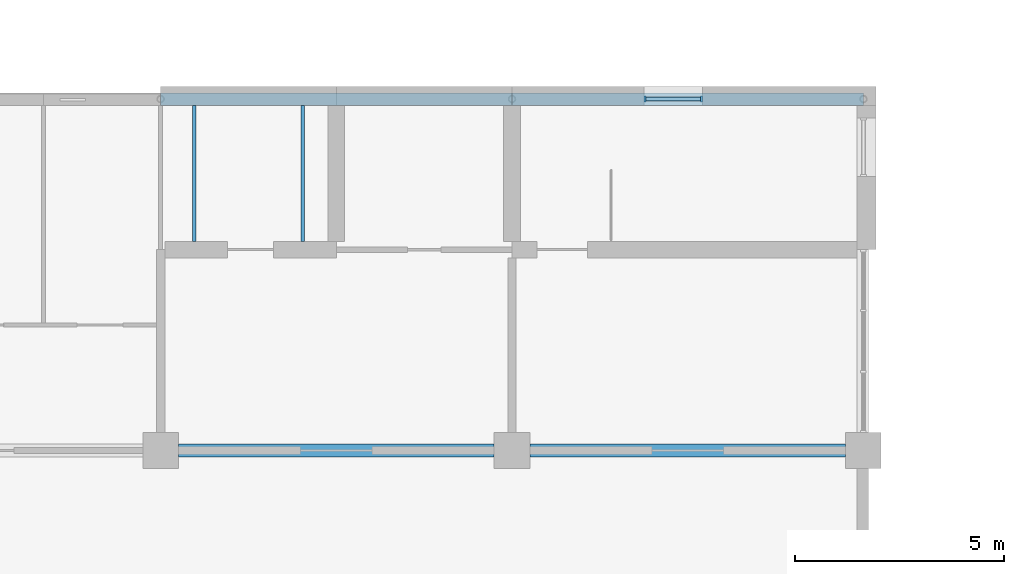
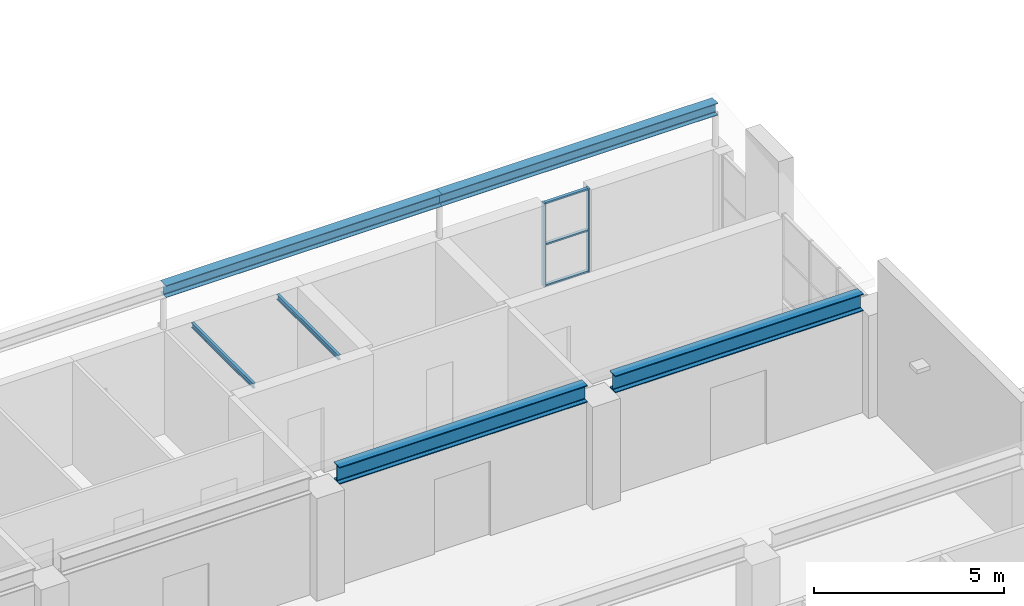
# One storey, part 31 of 94: 6 beams, 5 members, 1 element without a shape of its own.
"""IFC4 building model written with IfcOpenShell, lengths in metres."""

from ifc_helpers import new_model, si_unit, direction, frame, origin, origin_2d, place, context, subcontext, project, spatial, rectangle, i_section, extrude, material, material_profile, profile_set, type_object, element, aggregate, save


model = new_model("IFC4")

# Units and contexts
model_context = context("Model", 3, precision=1e-05, world=origin(), true_north=direction((0.0, 1.0)))
body_context = subcontext(model_context, "Body", "Model", "MODEL_VIEW")
ifc_project = project(units=[si_unit("LENGTHUNIT", "METRE"), si_unit("AREAUNIT", "SQUARE_METRE"), si_unit("VOLUMEUNIT", "CUBIC_METRE"), si_unit("PLANEANGLEUNIT", "RADIAN"), si_unit("MASSUNIT", "GRAM", prefix="KILO")], contexts=[model_context])

# Site, building, storey
site_placement = place(None, origin())
site = spatial("IfcSite", under=ifc_project, at=site_placement, CompositionType="ELEMENT")
building_placement = place(site_placement, origin())
building = spatial("IfcBuilding", under=site, at=building_placement, Name="Yavir Park General Hospital", CompositionType="ELEMENT")
storey_placement = place(building_placement, frame((0.0, 0.0, 4.5)))
storey = spatial("IfcBuildingStorey", under=building, at=storey_placement, Name="L01", CompositionType="ELEMENT", Elevation=4.5)

# Beams
ifc_material_1 = material(Name="Steel S355", Category="steel")
ifc_material_profile_1 = material_profile(ifc_material_1, i_section(OverallWidth=0.300048828125, OverallDepth=0.389892578125, WebThickness=0.010986328125, FlangeThickness=0.01904296875, FilletRadius=0.027099609375, at=origin_2d()), Name="HEA400")
ifc_profile_set_1 = profile_set([ifc_material_profile_1], Name="Steel S355")
beam_type_1 = type_object("IfcBeamType", Name="HEA 400 edge beam", PredefinedType="BEAM", material=ifc_profile_set_1)
beam_1_placement = place(storey_placement, frame((50.39990234375, 75.60009765625, 4.552978515625), z_axis=(1.0, 0.0, 0.0), x_axis=(0.0, 1.0, 0.0)))
element("IfcBeam", 1, at=beam_1_placement, inside=storey, type_object=beam_type_1, Name="B:CLIN:V3:2", PredefinedType="BEAM", context=body_context, shape_type="SweptSolid", body=[
    extrude(i_section(OverallWidth=0.300048828125, OverallDepth=0.389892578125, WebThickness=0.010986328125, FlangeThickness=0.01904296875, FilletRadius=0.027099609375, at=origin_2d()), origin(), (0.0, 0.0, 1.0), 8.400146484375),
])
beam_2_placement = place(storey_placement, frame((58.800048828125, 75.60009765625, 4.552978515625), z_axis=(1.0, 0.0, 0.0), x_axis=(0.0, 1.0, 0.0)))
element("IfcBeam", 2, at=beam_2_placement, inside=storey, type_object=beam_type_1, Name="B:CLIN:V3:3", PredefinedType="BEAM", context=body_context, shape_type="SweptSolid", body=[
    extrude(i_section(OverallWidth=0.300048828125, OverallDepth=0.389892578125, WebThickness=0.010986328125, FlangeThickness=0.01904296875, FilletRadius=0.027099609375, at=origin_2d()), origin(), (0.0, 0.0, 1.0), 8.39990234375),
])
ifc_material_2 = material(Name="Steel S355", Category="steel")
ifc_material_profile_2 = material_profile(ifc_material_2, i_section(OverallWidth=0.300048828125, OverallDepth=0.550048828125, WebThickness=0.014892578125, FlangeThickness=0.029052734375, FilletRadius=0.027099609375, at=origin_2d()), Name="HEB550")
ifc_profile_set_2 = profile_set([ifc_material_profile_2], Name="Steel S355")
beam_type_2 = type_object("IfcBeamType", Name="HEB 550 valley beam", PredefinedType="BEAM", material=ifc_profile_set_2)
beam_3_placement = place(storey_placement, frame((50.824951171875, 67.199951171875, 3.572998046875), z_axis=(1.0, 0.0, 0.0), x_axis=(0.0, 1.0, 0.0)))
element("IfcBeam", 3, at=beam_3_placement, inside=storey, type_object=beam_type_2, Name="B:CLIN:V2:2", PredefinedType="BEAM", context=body_context, shape_type="SweptSolid", body=[
    extrude(i_section(OverallWidth=0.300048828125, OverallDepth=0.550048828125, WebThickness=0.014892578125, FlangeThickness=0.029052734375, FilletRadius=0.027099609375, at=origin_2d()), origin(), (0.0, 0.0, 1.0), 7.550048828125),
])
beam_4_placement = place(storey_placement, frame((59.22509765625, 67.199951171875, 3.572998046875), z_axis=(1.0, 0.0, 0.0), x_axis=(0.0, 1.0, 0.0)))
element("IfcBeam", 4, at=beam_4_placement, inside=storey, type_object=beam_type_2, Name="B:CLIN:V2:3", PredefinedType="BEAM", context=body_context, shape_type="SweptSolid", body=[
    extrude(i_section(OverallWidth=0.300048828125, OverallDepth=0.550048828125, WebThickness=0.014892578125, FlangeThickness=0.029052734375, FilletRadius=0.027099609375, at=origin_2d()), origin(), (0.0, 0.0, 1.0), 7.5498046875),
])
ifc_material_3 = material(Name="Steel S355", Category="steel")
ifc_material_profile_3 = material_profile(ifc_material_3, i_section(OverallWidth=0.08203125, OverallDepth=0.159912109375, WebThickness=0.0048828125, FlangeThickness=0.00732421875, FilletRadius=0.009033203125, at=origin_2d()), Name="IPE160")
ifc_profile_set_3 = profile_set([ifc_material_profile_3], Name="Steel S355")
beam_type_3 = type_object("IfcBeamType", Name="IPE 160 lift machine beam", PredefinedType="BEAM", material=ifc_profile_set_3)
for number, where, z_axis, x_axis, name in (
    (5, (51.199951171875, 72.199951171875, 3.219970703125), (0.0, 1.0, 0.0), (-1.0, 0.0, 0.0), "B:MACH:PL8:0"),
    (6, (53.800048828125, 72.199951171875, 3.219970703125), (0.0, 1.0, 0.0), (-1.0, 0.0, 0.0), "B:MACH:PL8:1"),
):
    element("IfcBeam", number, at=place(storey_placement, frame(where, z_axis=z_axis, x_axis=x_axis)), inside=storey, type_object=beam_type_3, Name=name, PredefinedType="BEAM", context=body_context, shape_type="SweptSolid", body=[
        extrude(i_section(OverallWidth=0.08203125, OverallDepth=0.159912109375, WebThickness=0.0048828125, FlangeThickness=0.00732421875, FilletRadius=0.009033203125, at=origin_2d()), origin(), (0.0, 0.0, 1.0), 3.25),
    ])

# Curtain wall, members
ifc_material_4 = material(Name="Aluminium curtain wall frame with insulated glazing", Category="aluminium")
curtain_wall_type = type_object("IfcCurtainWallType", Name="Stair light slot, podium, 2700 high, 1400 module", PredefinedType="NOTDEFINED", material=ifc_material_4)
curtain_wall_placement = place(storey_placement, origin())
curtain_wall = element("IfcCurtainWall", 7, at=curtain_wall_placement, inside=storey, type_object=curtain_wall_type, Name="CW53 L01-010", PredefinedType="NOTDEFINED")
ifc_material_5 = material(Name="Aluminium", Category="aluminium")
ifc_material_profile_4 = material_profile(ifc_material_5, rectangle(XDim=0.139892578125, YDim=0.050048828125, at=origin_2d()), Name="AL 50x140")
ifc_profile_set_4 = profile_set([ifc_material_profile_4], Name="Aluminium")
member_type_1 = type_object("IfcMemberType", Name="Stair light slot, podium, 2700 high mullion 50 x 140", PredefinedType="MULLION", material=ifc_profile_set_4)
member_1_placement = place(storey_placement, frame((61.97509765625, 75.60009765625, 0.60009765625), z_axis=(0.0, 0.0, 1.0), x_axis=(0.0, 1.0, 0.0)))
member_1 = element("IfcMember", 8, at=member_1_placement, type_object=member_type_1, Name="CW53 mullion 1", PredefinedType="MULLION", context=body_context, shape_type="SweptSolid", body=[
    extrude(rectangle(XDim=0.139892578125, YDim=0.050048828125, at=origin_2d()), origin(), (0.0, 0.0, 1.0), 2.699951171875),
])
member_2_placement = place(storey_placement, frame((63.324951171875, 75.60009765625, 0.60009765625), z_axis=(0.0, 0.0, 1.0), x_axis=(0.0, 1.0, 0.0)))
member_2 = element("IfcMember", 9, at=member_2_placement, type_object=member_type_1, Name="CW53 mullion 2", PredefinedType="MULLION", context=body_context, shape_type="SweptSolid", body=[
    extrude(rectangle(XDim=0.139892578125, YDim=0.050048828125, at=origin_2d()), origin(), (0.0, 0.0, 1.0), 2.699951171875),
])
ifc_material_6 = material(Name="Aluminium", Category="aluminium")
ifc_material_profile_5 = material_profile(ifc_material_6, rectangle(XDim=0.10009765625, YDim=0.050048828125, at=origin_2d()), Name="AL 100x50")
ifc_profile_set_5 = profile_set([ifc_material_profile_5], Name="Aluminium")
member_type_2 = type_object("IfcMemberType", Name="Stair light slot, podium, 2700 high transom 50 x 100", PredefinedType="MULLION", material=ifc_profile_set_5)
member_3_placement = place(storey_placement, frame((62.0, 75.60009765625, 0.625), z_axis=(1.0, 0.0, 0.0), x_axis=(0.0, 1.0, 0.0)))
member_3 = element("IfcMember", 10, at=member_3_placement, type_object=member_type_2, Name="CW53 transom 1.1", PredefinedType="MULLION", context=body_context, shape_type="SweptSolid", body=[
    extrude(rectangle(XDim=0.10009765625, YDim=0.050048828125, at=origin_2d()), origin(), (0.0, 0.0, 1.0), 1.300048828125),
])
member_4_placement = place(storey_placement, frame((62.0, 75.60009765625, 1.949951171875), z_axis=(1.0, 0.0, 0.0), x_axis=(0.0, 1.0, 0.0)))
member_4 = element("IfcMember", 11, at=member_4_placement, type_object=member_type_2, Name="CW53 transom 1.2", PredefinedType="MULLION", context=body_context, shape_type="SweptSolid", body=[
    extrude(rectangle(XDim=0.10009765625, YDim=0.050048828125, at=origin_2d()), origin(), (0.0, 0.0, 1.0), 1.300048828125),
])
member_5_placement = place(storey_placement, frame((62.0, 75.60009765625, 3.27490234375), z_axis=(1.0, 0.0, 0.0), x_axis=(0.0, 1.0, 0.0)))
member_5 = element("IfcMember", 12, at=member_5_placement, type_object=member_type_2, Name="CW53 transom 1.3", PredefinedType="MULLION", context=body_context, shape_type="SweptSolid", body=[
    extrude(rectangle(XDim=0.10009765625, YDim=0.050048828125, at=origin_2d()), origin(), (0.0, 0.0, 1.0), 1.300048828125),
])
aggregate(curtain_wall, [member_1, member_2, member_3, member_4, member_5])

save(model, "model.ifc")
